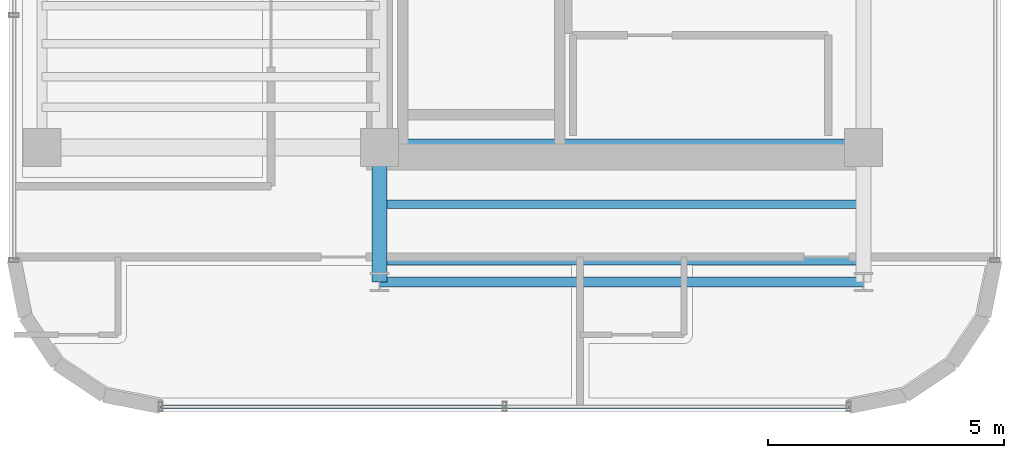
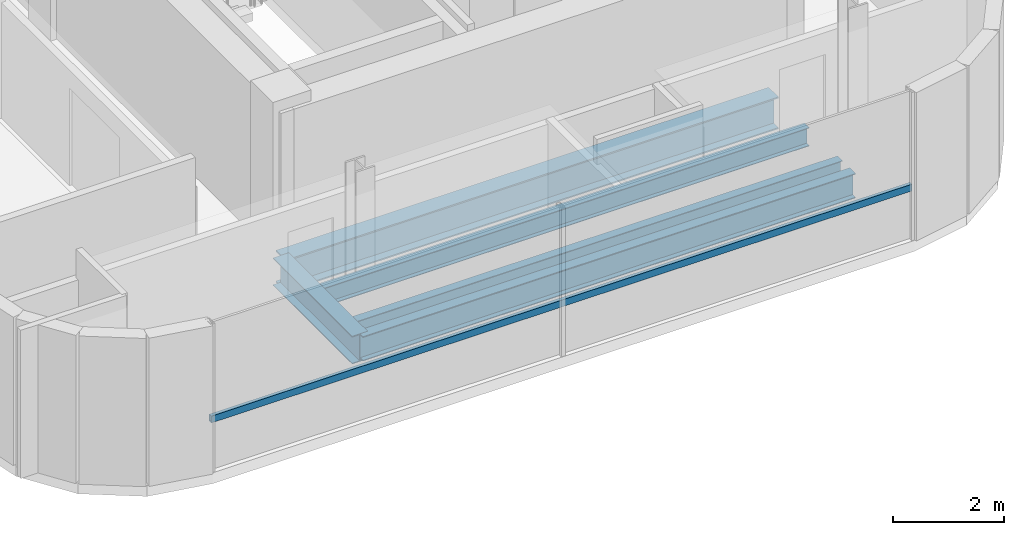
# One storey, part 3 of 20: 5 beams, 1 member, 1 element without a shape of its own.
"""IFC4 building model written with IfcOpenShell, lengths in metres."""

from ifc_helpers import new_model, si_unit, direction, frame, origin, origin_2d, place, context, subcontext, project, spatial, hollow_rectangle, i_section, extrude, source, transform, mapped, material, material_profile, profile_set, type_object, element, aggregate, save


model = new_model("IFC4")

# Units and contexts
model_context = context("Model", 3, precision=1e-05, world=origin(), true_north=direction((0.0, 1.0)))
body_context = subcontext(model_context, "Body", "Model", "MODEL_VIEW")
ifc_project = project(units=[si_unit("LENGTHUNIT", "METRE"), si_unit("AREAUNIT", "SQUARE_METRE"), si_unit("VOLUMEUNIT", "CUBIC_METRE"), si_unit("PLANEANGLEUNIT", "RADIAN"), si_unit("MASSUNIT", "GRAM", prefix="KILO")], contexts=[model_context])

# Site, building, storey
site_placement = place(None, origin())
site = spatial("IfcSite", under=ifc_project, at=site_placement, CompositionType="ELEMENT")
building_placement = place(site_placement, origin())
building = spatial("IfcBuilding", under=site, at=building_placement, Name="Valdorenza Pilgrim Sanctuary Tower", CompositionType="ELEMENT")
storey_placement = place(building_placement, frame((0.0, 0.0, 240.5)))
storey = spatial("IfcBuildingStorey", under=building, at=storey_placement, Name="L62", CompositionType="ELEMENT", Elevation=240.5)

# Beams
ifc_material_1 = material(Name="Steel ASTM A992 Grade 50", Category="steel")
ifc_material_profile_1 = material_profile(ifc_material_1, i_section(OverallWidth=0.323974609375, OverallDepth=0.611083984375, WebThickness=0.0126953125, FlangeThickness=0.01904296875, at=origin_2d()), Name="W24X104")
ifc_profile_set_1 = profile_set([ifc_material_profile_1], Name="Steel ASTM A992 Grade 50")
beam_type_1 = type_object("IfcBeamType", Name="STR-BM-GRD-W24B", PredefinedType="BEAM", material=ifc_profile_set_1)
shared_shape_1 = source(origin(), body_context, "Body", "SweptSolid", [
    extrude(i_section(OverallWidth=0.323974609375, OverallDepth=0.611083984375, WebThickness=0.0126953125, FlangeThickness=0.01904296875, at=origin_2d()), origin(), (0.0, 0.0, 1.0), 2.849853515625),
])
beam_1_placement = place(storey_placement, frame((-22.64990234375, -13.449951171875, -0.54541015625), z_axis=(0.0, 1.0, 0.0), x_axis=(-1.0, 0.0, 0.0)))
element("IfcBeam", 1, at=beam_1_placement, inside=storey, type_object=beam_type_1, Name="L62 Floor Girder WA-S-LW", PredefinedType="BEAM", context=body_context, shape_type="MappedRepresentation", body=[
    mapped(shared_shape_1, transform((0.0, 0.0, 0.0), x_axis=(1.0, 0.0, 0.0), y_axis=(0.0, 1.0, 0.0), z_axis=(0.0, 0.0, 1.0), scale=1.0)),
])
ifc_material_profile_2 = material_profile(ifc_material_1, i_section(OverallWidth=0.2109375, OverallDepth=0.5390625, WebThickness=0.01171875, FlangeThickness=0.018798828125, at=origin_2d()), Name="W21X73")
ifc_profile_set_2 = profile_set([ifc_material_profile_2], Name="Steel ASTM A992 Grade 50")
beam_type_2 = type_object("IfcBeamType", Name="STR-BM-SPN-W21B", PredefinedType="SPANDREL", material=ifc_profile_set_2)
shared_shape_2 = source(origin(), body_context, "Body", "SweptSolid", [
    extrude(i_section(OverallWidth=0.2109375, OverallDepth=0.5390625, WebThickness=0.01171875, FlangeThickness=0.018798828125, at=origin_2d()), origin(), (0.0, 0.0, 1.0), 10.25),
])
beam_2_placement = place(storey_placement, frame((-22.64990234375, -13.449951171875, -0.509521484375), z_axis=(1.0, 0.0, 0.0), x_axis=(0.0, 1.0, 0.0)))
element("IfcBeam", 2, at=beam_2_placement, inside=storey, type_object=beam_type_2, Name="L62 South Spandrel WA-S-TIE", PredefinedType="SPANDREL", context=body_context, shape_type="MappedRepresentation", body=[
    mapped(shared_shape_2, transform((0.0, 0.0, 0.0), x_axis=(1.0, 0.0, 0.0), y_axis=(0.0, 1.0, 0.0), z_axis=(0.0, 0.0, 1.0), scale=1.0)),
])
ifc_material_profile_3 = material_profile(ifc_material_1, i_section(OverallWidth=0.35595703125, OverallDepth=0.700927734375, WebThickness=0.016845703125, FlangeThickness=0.02734375, at=origin_2d()), Name="W27X161")
ifc_profile_set_3 = profile_set([ifc_material_profile_3], Name="Steel ASTM A992 Grade 50")
beam_type_3 = type_object("IfcBeamType", Name="STR-BM-GRD-W27", PredefinedType="BEAM", material=ifc_profile_set_3)
shared_shape_3 = source(origin(), body_context, "Body", "SweptSolid", [
    extrude(i_section(OverallWidth=0.35595703125, OverallDepth=0.700927734375, WebThickness=0.016845703125, FlangeThickness=0.02734375, at=origin_2d()), origin(), (0.0, 0.0, 1.0), 10.25),
])
beam_3_placement = place(storey_placement, frame((-22.64990234375, -10.60009765625, -0.590576171875), z_axis=(1.0, 0.0, 0.0), x_axis=(0.0, 1.0, 0.0)))
element("IfcBeam", 3, at=beam_3_placement, inside=storey, type_object=beam_type_3, Name="L62 Floor Girder CA-XC-S1", PredefinedType="BEAM", context=body_context, shape_type="MappedRepresentation", body=[
    mapped(shared_shape_3, transform((0.0, 0.0, 0.0), x_axis=(1.0, 0.0, 0.0), y_axis=(0.0, 1.0, 0.0), z_axis=(0.0, 0.0, 1.0), scale=1.0)),
])
ifc_material_profile_4 = material_profile(ifc_material_1, i_section(OverallWidth=0.177978515625, OverallDepth=0.406005859375, WebThickness=0.0078125, FlangeThickness=0.0126953125, at=origin_2d()), Name="W16X40")
ifc_profile_set_4 = profile_set([ifc_material_profile_4], Name="Steel ASTM A992 Grade 50")
beam_type_4 = type_object("IfcBeamType", Name="STR-BM-JST-W16", PredefinedType="JOIST", material=ifc_profile_set_4)
shared_shape_4 = source(origin(), body_context, "Body", "SweptSolid", [
    extrude(i_section(OverallWidth=0.177978515625, OverallDepth=0.406005859375, WebThickness=0.0078125, FlangeThickness=0.0126953125, at=origin_2d()), origin(), (0.0, 0.0, 1.0), 10.25),
])
for number, where, z_axis, x_axis, name in (
    (4, (-22.64990234375, -13.0, -0.443115234375), (1.0, 0.0, 0.0), (0.0, 1.0, 0.0), "L62 Composite Floor Joist JST-WAS-1"),
    (5, (-22.64990234375, -11.800048828125, -0.443115234375), (1.0, 0.0, 0.0), (0.0, 1.0, 0.0), "L62 Composite Floor Joist JST-WAS-2"),
):
    element("IfcBeam", number, at=place(storey_placement, frame(where, z_axis=z_axis, x_axis=x_axis)), inside=storey, type_object=beam_type_4, Name=name, PredefinedType="JOIST", context=body_context, shape_type="MappedRepresentation", body=[
        mapped(shared_shape_4, transform((0.0, 0.0, 0.0), x_axis=(1.0, 0.0, 0.0), y_axis=(0.0, 1.0, 0.0), z_axis=(0.0, 0.0, 1.0), scale=1.0)),
    ])

# Curtain wall, member
ifc_material_2 = material(Name="Curtain-wall IGU glazing", Category="glass")
curtain_wall_type = type_object("IfcCurtainWallType", Name="CW-SYS-02", PredefinedType="NOTDEFINED", material=ifc_material_2)
curtain_wall_placement = place(storey_placement, origin())
curtain_wall = element("IfcCurtainWall", 6, at=curtain_wall_placement, inside=storey, type_object=curtain_wall_type, Name="L62 Curtain Wall CW-L62-1-26", PredefinedType="NOTDEFINED")
ifc_material_3 = material(Name="Anodised aluminium AW-6060", Category="aluminium")
ifc_material_profile_5 = material_profile(ifc_material_3, hollow_rectangle(XDim=0.074951171875, YDim=0.14990234375, WallThickness=0.00390625, at=origin_2d()), Name="ALU-T 150x75x4")
ifc_profile_set_5 = profile_set([ifc_material_profile_5], Name="Anodised aluminium AW-6060")
member_type = type_object("IfcMemberType", Name="CW-TRN-02", PredefinedType="USERDEFINED", material=ifc_profile_set_5)
shared_shape_5 = source(origin(), body_context, "Body", "SweptSolid", [
    extrude(hollow_rectangle(XDim=0.074951171875, YDim=0.14990234375, WallThickness=0.00390625, at=origin_2d()), origin(), (0.0, 0.0, 1.0), 14.57861328125),
])
member_placement = place(storey_placement, frame((-12.710693359375, -16.090087890625, 1.1201171875), z_axis=(-1.0, 0.0, 0.0), x_axis=(0.0, -1.0, 0.0)))
member = element("IfcMember", 7, at=member_placement, type_object=member_type, Name="CW-L62-1-26 Transom 1", ObjectType="TRANSOM", PredefinedType="USERDEFINED", context=body_context, shape_type="MappedRepresentation", body=[
    mapped(shared_shape_5, transform((0.0, 0.0, 0.0), x_axis=(1.0, 0.0, 0.0), y_axis=(0.0, 1.0, 0.0), z_axis=(0.0, 0.0, 1.0), scale=1.0)),
])
aggregate(curtain_wall, [member])

save(model, "model.ifc")
